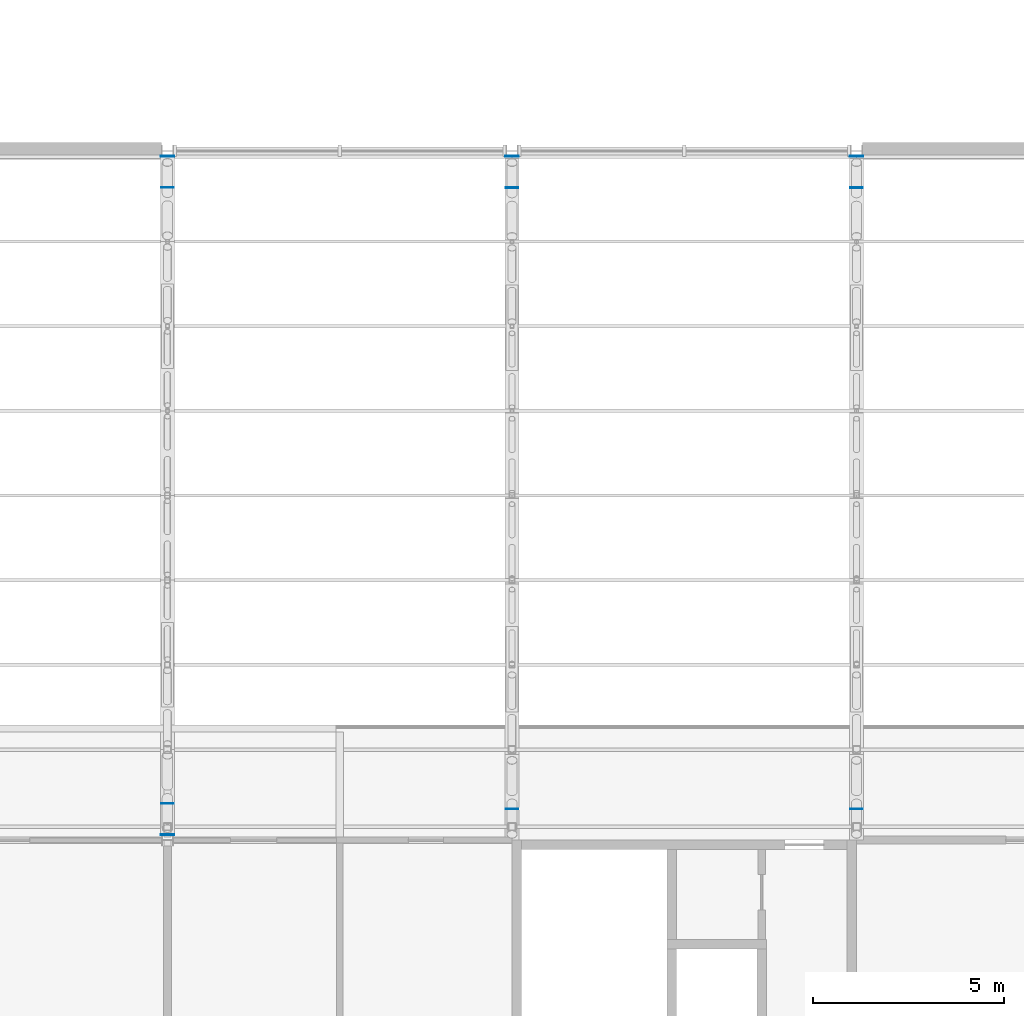
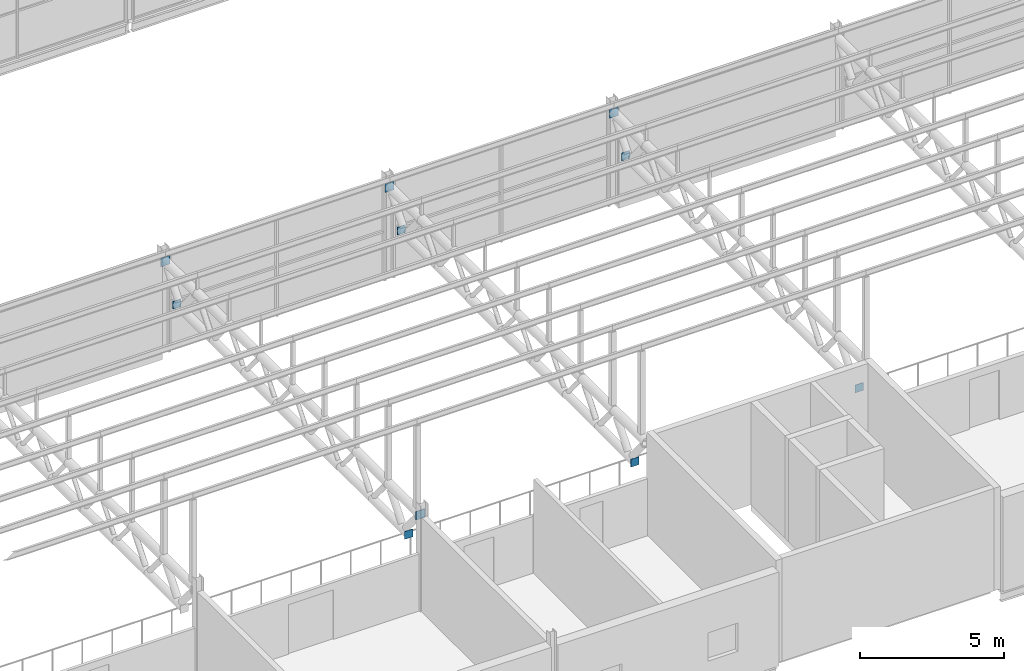
# One storey, part 106 of 138: 10 plates.
"""IFC4 building model written with IfcOpenShell, lengths in metres."""

from ifc_helpers import new_model, si_unit, direction, frame, origin, origin_2d, place, context, subcontext, project, spatial, rectangle, extrude, material, layer, layer_set, type_object, element, save


model = new_model("IFC4")

# Units and contexts
model_context = context("Model", 3, precision=1e-05, world=origin(), true_north=direction((0.0, 1.0)))
body_context = subcontext(model_context, "Body", "Model", "MODEL_VIEW")
ifc_project = project(units=[si_unit("LENGTHUNIT", "METRE"), si_unit("AREAUNIT", "SQUARE_METRE"), si_unit("VOLUMEUNIT", "CUBIC_METRE"), si_unit("PLANEANGLEUNIT", "RADIAN"), si_unit("MASSUNIT", "GRAM", prefix="KILO")], contexts=[model_context])

# Site, building, storey
site_placement = place(None, origin())
site = spatial("IfcSite", under=ifc_project, at=site_placement, CompositionType="ELEMENT")
building_placement = place(site_placement, origin())
building = spatial("IfcBuilding", under=site, at=building_placement, Name="Corbel Yard City Hall", CompositionType="ELEMENT")
storey_placement = place(building_placement, frame((0.0, 0.0, 10.5)))
storey = spatial("IfcBuildingStorey", under=building, at=storey_placement, Name="L02", CompositionType="ELEMENT", Elevation=10.5)

# Plates
ifc_material = material(Name="Steel Grade 300 (300 MPa yield)", Category="steel")
ifc_layer_1 = layer(ifc_material, 0.01611328125)
ifc_layer_set_1 = layer_set([ifc_layer_1], Name="Steel Grade 300 (300 MPa yield)")
plate_type_1 = type_object("IfcPlateType", Name="Truss bottom chord cap plate", PredefinedType="NOTDEFINED", material=ifc_layer_set_1)
for number, where, z_axis, x_axis, name in (
    (1, (72.0, 9.950439453125, 2.42724609375), (0.0, 0.0, 1.0), (1.0, 0.0, 0.0), "Truss bottom chord cap plate EP2"),
    (2, (72.0, 26.049560546875, 2.42724609375), (0.0, 0.0, 1.0), (1.0, 0.0, 0.0), "Truss bottom chord cap plate EP2"),
    (3, (81.0, 9.807373046875, 2.42724609375), (0.0, 0.0, 1.0), (1.0, 0.0, 0.0), "Truss bottom chord cap plate EP2"),
    (4, (81.0, 26.0400390625, 2.42724609375), (0.0, 0.0, 1.0), (1.0, 0.0, 0.0), "Truss bottom chord cap plate EP2"),
    (5, (90.0, 9.807373046875, 2.42724609375), (0.0, 0.0, 1.0), (1.0, 0.0, 0.0), "Truss bottom chord cap plate EP2"),
    (6, (90.0, 26.0400390625, 2.42724609375), (0.0, 0.0, 1.0), (1.0, 0.0, 0.0), "Truss bottom chord cap plate EP2"),
):
    element("IfcPlate", number, at=place(storey_placement, frame(where, z_axis=z_axis, x_axis=x_axis)), inside=storey, type_object=plate_type_1, Name=name, PredefinedType="NOTDEFINED", context=body_context, shape_type="SweptSolid", body=[
        extrude(rectangle(XDim=0.330078125, YDim=0.01611328125, at=origin_2d()), origin(), (0.0, 0.0, 1.0), 0.330078125),
    ])
ifc_layer_2 = layer(ifc_material, 0.02490234375)
ifc_layer_set_2 = layer_set([ifc_layer_2], Name="Steel Grade 300 (300 MPa yield)")
plate_type_2 = type_object("IfcPlateType", Name="Truss top chord end plate", PredefinedType="NOTDEFINED", material=ifc_layer_set_2)
for number, where, z_axis, x_axis, name in (
    (7, (72.0, 9.139892578125, 3.7421875), (0.0, 0.0, 1.0), (1.0, 0.0, 0.0), "Truss top chord end plate EP1"),
    (8, (72.0, 26.860107421875, 3.7421875), (0.0, 0.0, 1.0), (1.0, 0.0, 0.0), "Truss top chord end plate EP1"),
    (9, (81.0, 26.860107421875, 3.7421875), (0.0, 0.0, 1.0), (1.0, 0.0, 0.0), "Truss top chord end plate EP1"),
    (10, (90.0, 26.860107421875, 3.7421875), (0.0, 0.0, 1.0), (1.0, 0.0, 0.0), "Truss top chord end plate EP1"),
):
    element("IfcPlate", number, at=place(storey_placement, frame(where, z_axis=z_axis, x_axis=x_axis)), inside=storey, type_object=plate_type_2, Name=name, PredefinedType="NOTDEFINED", context=body_context, shape_type="SweptSolid", body=[
        extrude(rectangle(XDim=0.360107421875, YDim=0.02490234375, at=origin_2d()), origin(), (0.0, 0.0, 1.0), 0.360107421875),
    ])

save(model, "model.ifc")
